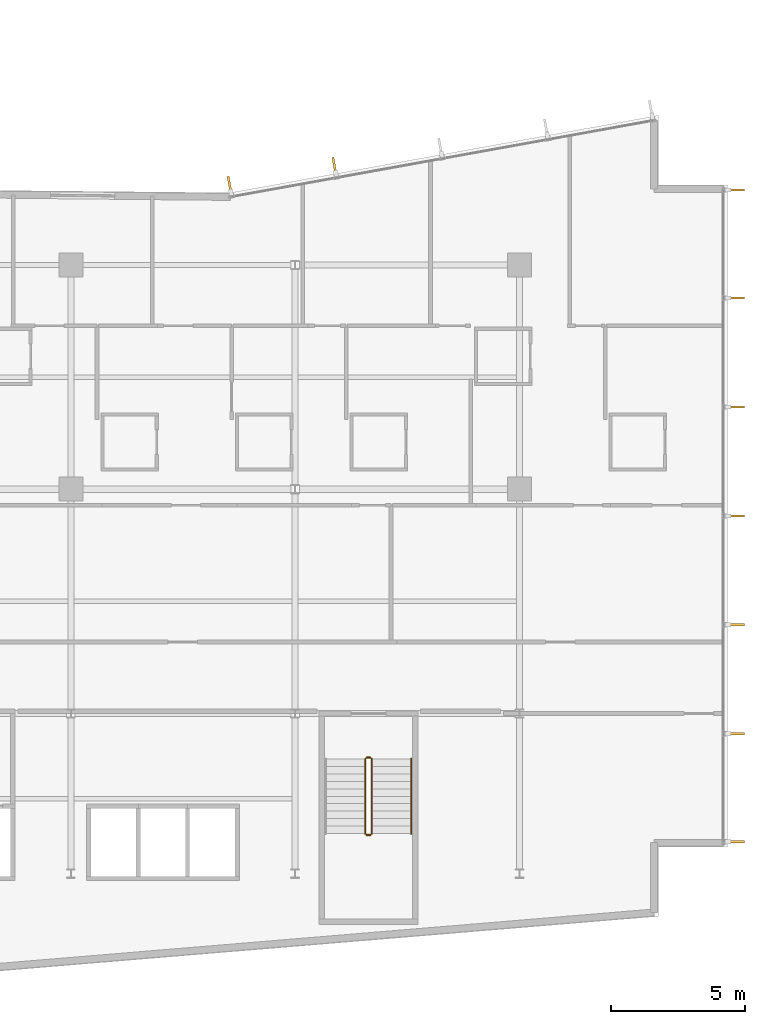
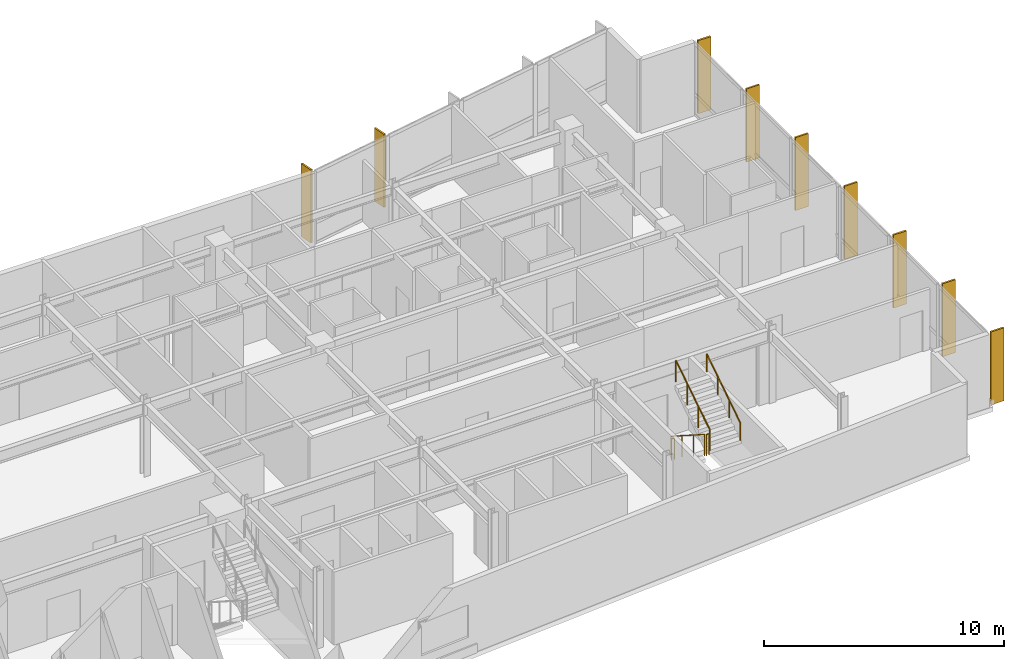
# One storey, part 20 of 22: 9 shading devices, 5 railings.
"""IFC4 building model written with IfcOpenShell, lengths in metres."""

from ifc_helpers import new_model, si_unit, direction, frame, origin, origin_2d, place, context, subcontext, project, spatial, rectangle, circle, extrude, material, layer, layer_set, type_object, element, save


model = new_model("IFC4")

# Units and contexts
model_context = context("Model", 3, precision=1e-05, world=origin(), true_north=direction((0.0, 1.0)))
body_context = subcontext(model_context, "Body", "Model", "MODEL_VIEW")
ifc_project = project(units=[si_unit("LENGTHUNIT", "METRE"), si_unit("AREAUNIT", "SQUARE_METRE"), si_unit("VOLUMEUNIT", "CUBIC_METRE"), si_unit("PLANEANGLEUNIT", "RADIAN"), si_unit("MASSUNIT", "GRAM", prefix="KILO")], contexts=[model_context])

# Site, building, storey
site_placement = place(None, origin())
site = spatial("IfcSite", under=ifc_project, at=site_placement, CompositionType="ELEMENT")
building_placement = place(site_placement, origin())
building = spatial("IfcBuilding", under=site, at=building_placement, Name="Varnakote Quay Hospital", CompositionType="ELEMENT")
storey_placement = place(building_placement, frame((0.0, 0.0, 65.949951171875)))
storey = spatial("IfcBuildingStorey", under=building, at=storey_placement, Name="L16", CompositionType="ELEMENT", Elevation=65.949951171875)

# Railings
ifc_material_1 = material(Name="Brushed stainless steel balustrade", Category="steel")
railing_type_1 = type_object("IfcRailingType", Name="RLG-STAIR-GUARD-1150", PredefinedType="GUARDRAIL", material=ifc_material_1)
railing_1_placement = place(storey_placement, frame((44.6298828125, 10.300048828125, 0.1796875)))
element("IfcRailing", 1, at=railing_1_placement, inside=storey, type_object=railing_type_1, Name="L16 ST-03 stair guard 1", PredefinedType="GUARDRAIL", context=body_context, shape_type="SweptSolid", body=[
    extrude(circle(Radius=0.02392578125, at=origin_2d()), frame((0.0, 0.0, 1.076171875), z_axis=(0.0, -0.841809871826, 0.539774156196), x_axis=(1.0, 0.0, 0.0)), (0.0, 0.0, 1.0), 3.326171875),
    extrude(circle(Radius=0.02099609375, at=origin_2d()), origin(), (0.0, 0.0, 1.0), 1.052001953125),
    extrude(circle(Radius=0.02099609375, at=origin_2d()), frame((0.0, -0.933349609375, 0.598388671875)), (0.0, 0.0, 1.0), 1.052001953125),
    extrude(circle(Radius=0.02099609375, at=origin_2d()), frame((0.0, -1.86669921875, 1.197021484375)), (0.0, 0.0, 1.0), 1.052001953125),
    extrude(circle(Radius=0.02099609375, at=origin_2d()), frame((0.0, -2.800048828125, 1.79541015625)), (0.0, 0.0, 1.0), 1.052001953125),
])
railing_2_placement = place(storey_placement, frame((44.679931640625, 7.449951171875, 1.97509765625)))
element("IfcRailing", 2, at=railing_2_placement, inside=storey, type_object=railing_type_1, Name="L16 ST-03 stair guard 2", PredefinedType="GUARDRAIL", context=body_context, shape_type="SweptSolid", body=[
    extrude(circle(Radius=0.02392578125, at=origin_2d()), frame((0.0, 0.0, 1.076171875), z_axis=(1.0, 0.0, 0.0), x_axis=(0.0, 1.0, 0.0)), (0.0, 0.0, 1.0), 0.14013671875),
    extrude(circle(Radius=0.02099609375, at=origin_2d()), origin(), (0.0, 0.0, 1.0), 1.052001953125),
    extrude(circle(Radius=0.02099609375, at=origin_2d()), frame((0.14013671875, 0.0, 0.0)), (0.0, 0.0, 1.0), 1.052001953125),
])
railing_3_placement = place(storey_placement, frame((44.8701171875, 7.5, 2.154541015625)))
element("IfcRailing", 3, at=railing_3_placement, inside=storey, type_object=railing_type_1, Name="L16 ST-03 stair guard 3", PredefinedType="GUARDRAIL", context=body_context, shape_type="SweptSolid", body=[
    extrude(circle(Radius=0.02392578125, at=origin_2d()), frame((0.0, 0.0, 1.076171875), z_axis=(0.0, 0.841809871826, 0.539774156196), x_axis=(-1.0, 0.0, 0.0)), (0.0, 0.0, 1.0), 3.326171875),
    extrude(circle(Radius=0.02099609375, at=origin_2d()), origin(), (0.0, 0.0, 1.0), 1.052001953125),
    extrude(circle(Radius=0.02099609375, at=origin_2d()), frame((0.0, 0.933349609375, 0.598388671875)), (0.0, 0.0, 1.0), 1.052001953125),
    extrude(circle(Radius=0.02099609375, at=origin_2d()), frame((0.0, 1.86669921875, 1.197021484375)), (0.0, 0.0, 1.0), 1.052001953125),
    extrude(circle(Radius=0.02099609375, at=origin_2d()), frame((0.0, 2.800048828125, 1.79541015625)), (0.0, 0.0, 1.0), 1.052001953125),
])
railing_4_placement = place(storey_placement, frame((44.679931640625, 10.35009765625, 0.0)))
element("IfcRailing", 4, at=railing_4_placement, inside=storey, type_object=railing_type_1, Name="L16 ST-03 stair guard 4", PredefinedType="GUARDRAIL", context=body_context, shape_type="SweptSolid", body=[
    extrude(circle(Radius=0.02392578125, at=origin_2d()), frame((0.0, 0.0, 1.076171875), z_axis=(1.0, 0.0, 0.0), x_axis=(0.0, 1.0, 0.0)), (0.0, 0.0, 1.0), 0.14013671875),
    extrude(circle(Radius=0.02099609375, at=origin_2d()), origin(), (0.0, 0.0, 1.0), 1.052001953125),
    extrude(circle(Radius=0.02099609375, at=origin_2d()), frame((0.14013671875, 0.0, 0.0)), (0.0, 0.0, 1.0), 1.052001953125),
])
ifc_material_2 = material(Name="Brushed stainless steel handrail", Category="steel")
railing_type_2 = type_object("IfcRailingType", Name="RLG-STAIR-HND-920", PredefinedType="HANDRAIL", material=ifc_material_2)
railing_5_placement = place(storey_placement, frame((46.35009765625, 7.5, 2.154541015625)))
element("IfcRailing", 5, at=railing_5_placement, inside=storey, type_object=railing_type_2, Name="L16 ST-03 stair handrail 2", PredefinedType="HANDRAIL", context=body_context, shape_type="SweptSolid", body=[
    extrude(circle(Radius=0.02392578125, at=origin_2d()), frame((0.0, 0.0, 0.8759765625), z_axis=(0.0, 0.841809871826, 0.539774156196), x_axis=(-1.0, 0.0, 0.0)), (0.0, 0.0, 1.0), 3.326171875),
    extrude(circle(Radius=0.02099609375, at=origin_2d()), origin(), (0.0, 0.0, 1.0), 0.851806640625),
    extrude(circle(Radius=0.02099609375, at=origin_2d()), frame((0.0, 0.933349609375, 0.598388671875)), (0.0, 0.0, 1.0), 0.851806640625),
    extrude(circle(Radius=0.02099609375, at=origin_2d()), frame((0.0, 1.86669921875, 1.197021484375)), (0.0, 0.0, 1.0), 0.851806640625),
    extrude(circle(Radius=0.02099609375, at=origin_2d()), frame((0.0, 2.800048828125, 1.79541015625)), (0.0, 0.0, 1.0), 0.851806640625),
])

# Shading devices
ifc_material_3 = material(Name="Anodised aluminium 6063-T6 Bronze", Category="aluminium")
ifc_layer = layer(ifc_material_3, 0.0849609375)
ifc_layer_set = layer_set([ifc_layer], Name="Anodised aluminium 6063-T6 Bronze")
shading_device_type = type_object("IfcShadingDeviceType", Name="SHD-BRONZE-FIN-620", PredefinedType="USERDEFINED", material=ifc_layer_set)
for number, where, z_axis, x_axis, name in (
    (6, (58.510009765625, 7.197509765625, 0.0), (0.0, 0.0, 1.0), (-1.0, 0.0, 0.0), "L16 Anodised Bronze Vertical Shading FIN"),
    (7, (58.510009765625, 11.239990234375, 0.0), (0.0, 0.0, 1.0), (-1.0, 0.0, 0.0), "L16 Anodised Bronze Vertical Shading FIN"),
    (8, (58.510009765625, 15.320068359375, 0.0), (0.0, 0.0, 1.0), (-1.0, 0.0, 0.0), "L16 Anodised Bronze Vertical Shading FIN"),
    (9, (58.510009765625, 19.39990234375, 0.0), (0.0, 0.0, 1.0), (-1.0, 0.0, 0.0), "L16 Anodised Bronze Vertical Shading FIN"),
    (10, (58.510009765625, 23.47998046875, 0.0), (0.0, 0.0, 1.0), (-1.0, 0.0, 0.0), "L16 Anodised Bronze Vertical Shading FIN"),
    (11, (58.510009765625, 27.56005859375, 0.0), (0.0, 0.0, 1.0), (-1.0, 0.0, 0.0), "L16 Anodised Bronze Vertical Shading FIN"),
    (12, (58.510009765625, 31.6025390625, 0.0), (0.0, 0.0, 1.0), (-1.0, 0.0, 0.0), "L16 Anodised Bronze Vertical Shading FIN"),
    (13, (43.468505859375, 32.522705078125, 0.0), (0.0, 0.0, 1.0), (0.177771795263, -0.984071739666, 0.0), "L16 Anodised Bronze Vertical Shading FIN"),
    (14, (39.54296875, 31.81298828125, 0.0), (0.0, 0.0, 1.0), (0.177771795263, -0.984071739666, 0.0), "L16 Anodised Bronze Vertical Shading FIN"),
):
    element("IfcShadingDevice", number, at=place(storey_placement, frame(where, z_axis=z_axis, x_axis=x_axis)), inside=storey, type_object=shading_device_type, Name=name, ObjectType="FIN", PredefinedType="USERDEFINED", context=body_context, shape_type="SweptSolid", body=[
        extrude(rectangle(XDim=0.6201171875, YDim=0.0849609375, at=origin_2d()), origin(), (0.0, 0.0, 1.0), 3.7099609375),
    ])

save(model, "model.ifc")
